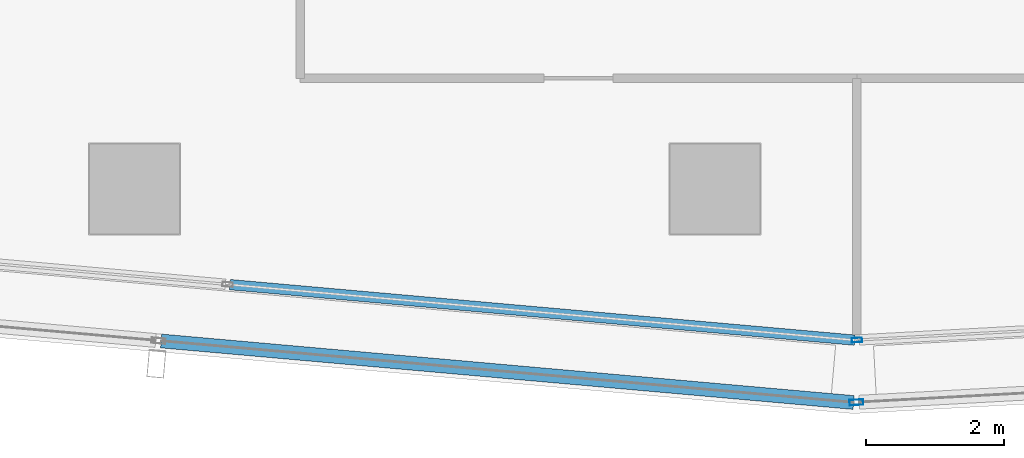
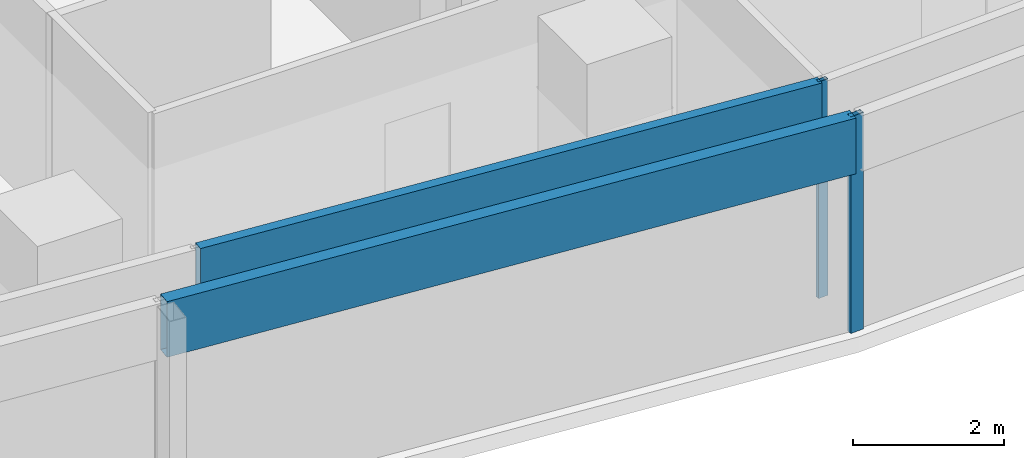
# One storey, part 4 of 28: 4 members, 4 elements without a shape of their own.
"""IFC4 building model written with IfcOpenShell, lengths in metres."""

from ifc_helpers import new_model, si_unit, direction, frame, origin, origin_2d, place, context, subcontext, project, spatial, hollow_rectangle, extrude, material, material_profile, profile_set, type_object, element, aggregate, save


model = new_model("IFC4")

# Units and contexts
model_context = context("Model", 3, precision=1e-05, world=origin(), true_north=direction((0.0, 1.0)))
body_context = subcontext(model_context, "Body", "Model", "MODEL_VIEW")
ifc_project = project(units=[si_unit("LENGTHUNIT", "METRE"), si_unit("AREAUNIT", "SQUARE_METRE"), si_unit("VOLUMEUNIT", "CUBIC_METRE"), si_unit("PLANEANGLEUNIT", "RADIAN"), si_unit("MASSUNIT", "GRAM", prefix="KILO")], contexts=[model_context])

# Site, building, storey
site_placement = place(None, origin())
site = spatial("IfcSite", under=ifc_project, at=site_placement, CompositionType="ELEMENT")
building_placement = place(site_placement, origin())
building = spatial("IfcBuilding", under=site, at=building_placement, Name="Rekha Terrace Tower", CompositionType="ELEMENT")
storey_placement = place(building_placement, frame((0.0, 0.0, 268.85009765625)))
storey = spatial("IfcBuildingStorey", under=building, at=storey_placement, Name="L68", CompositionType="ELEMENT", Elevation=268.85009765625)

# Curtain wall, member
ifc_material_1 = material(Name="Aluminium framing", Category="aluminium")
curtain_wall_type_1 = type_object("IfcCurtainWallType", Name="CW1 double skin inner glazing", PredefinedType="USERDEFINED", material=ifc_material_1)
curtain_wall_1_placement = place(storey_placement, origin())
curtain_wall_1 = element("IfcCurtainWall", 1, at=curtain_wall_1_placement, inside=storey, type_object=curtain_wall_type_1, Name="CW1 double skin inner glazing", ObjectType="DOUBLE SKIN INNER GLAZING", PredefinedType="USERDEFINED")
ifc_material_2 = material(Name="Aluminium mullion section", Category="aluminium")
ifc_material_profile_1 = material_profile(ifc_material_2, hollow_rectangle(XDim=0.06494140625, YDim=0.14990234375, WallThickness=0.00390625, at=origin_2d()), Name="AL RHS 65x150")
ifc_profile_set_1 = profile_set([ifc_material_profile_1], Name="Aluminium mullion section")
member_type_1 = type_object("IfcMemberType", Name="CW1 mullion RHS 65 x 150", PredefinedType="MULLION", material=ifc_profile_set_1)
member_1_placement = place(storey_placement, frame((27.254638671875, 14.6142578125, 0.0), z_axis=(0.0, 0.0, 1.0), x_axis=(-0.054388903036, 0.998519828159, 0.0)))
member_1 = element("IfcMember", 2, at=member_1_placement, type_object=member_type_1, Name="CW1 mullion 1", PredefinedType="MULLION", context=body_context, shape_type="SweptSolid", body=[
    extrude(hollow_rectangle(XDim=0.06494140625, YDim=0.14990234375, WallThickness=0.00390625, at=origin_2d()), origin(), (0.0, 0.0, 1.0), 3.5),
])
aggregate(curtain_wall_1, [member_1])

curtain_wall_2_placement = place(storey_placement, origin())
curtain_wall_2 = element("IfcCurtainWall", 3, at=curtain_wall_2_placement, inside=storey, type_object=curtain_wall_type_1, Name="CW1 double skin inner glazing", ObjectType="DOUBLE SKIN INNER GLAZING", PredefinedType="USERDEFINED")
ifc_material_3 = material(Name="Insulated aluminium spandrel box", Category="aluminium")
ifc_material_profile_2 = material_profile(ifc_material_3, hollow_rectangle(XDim=0.14990234375, YDim=0.89990234375, WallThickness=0.0029296875, at=origin_2d()), Name="AL SPANDREL BOX 150x900")
ifc_profile_set_2 = profile_set([ifc_material_profile_2], Name="Insulated aluminium spandrel box")
member_type_2 = type_object("IfcMemberType", Name="CW1 spandrel transom 150 x 900", PredefinedType="USERDEFINED", material=ifc_profile_set_2)
member_2_placement = place(storey_placement, frame((18.181884765625, 15.416015625, 3.0498046875), z_axis=(0.996073747712, -0.088527335432, 0.0), x_axis=(0.088527335432, 0.996073747712, 0.0)))
member_2 = element("IfcMember", 4, at=member_2_placement, type_object=member_type_2, Name="CW1 spandrel transom 2", ObjectType="TRANSOM", PredefinedType="USERDEFINED", context=body_context, shape_type="SweptSolid", body=[
    extrude(hollow_rectangle(XDim=0.14990234375, YDim=0.89990234375, WallThickness=0.0029296875, at=origin_2d()), origin(), (0.0, 0.0, 1.0), 9.075927734375),
])
aggregate(curtain_wall_2, [member_2])

curtain_wall_type_2 = type_object("IfcCurtainWallType", Name="CW2 double skin outer glazing", PredefinedType="USERDEFINED", material=ifc_material_1)
curtain_wall_3_placement = place(storey_placement, origin())
curtain_wall_3 = element("IfcCurtainWall", 5, at=curtain_wall_3_placement, inside=storey, type_object=curtain_wall_type_2, Name="CW2 double skin outer glazing", ObjectType="DOUBLE SKIN OUTER GLAZING", PredefinedType="USERDEFINED")
ifc_material_profile_3 = material_profile(ifc_material_2, hollow_rectangle(XDim=0.080078125, YDim=0.199951171875, WallThickness=0.00390625, at=origin_2d()), Name="AL RHS 80x200")
ifc_profile_set_3 = profile_set([ifc_material_profile_3], Name="Aluminium mullion section")
member_type_3 = type_object("IfcMemberType", Name="CW2 mullion RHS 80 x 200", PredefinedType="MULLION", material=ifc_profile_set_3)
member_3_placement = place(storey_placement, frame((27.24658203125, 13.712646484375, 0.0), z_axis=(0.0, 0.0, 1.0), x_axis=(-0.054388903071, 0.998519828157, 0.0)))
member_3 = element("IfcMember", 6, at=member_3_placement, type_object=member_type_3, Name="CW2 mullion 1", PredefinedType="MULLION", context=body_context, shape_type="SweptSolid", body=[
    extrude(hollow_rectangle(XDim=0.080078125, YDim=0.199951171875, WallThickness=0.00390625, at=origin_2d()), origin(), (0.0, 0.0, 1.0), 3.5),
])
aggregate(curtain_wall_3, [member_3])

curtain_wall_4_placement = place(storey_placement, origin())
curtain_wall_4 = element("IfcCurtainWall", 7, at=curtain_wall_4_placement, inside=storey, type_object=curtain_wall_type_2, Name="CW2 double skin outer glazing", ObjectType="DOUBLE SKIN OUTER GLAZING", PredefinedType="USERDEFINED")
ifc_material_profile_4 = material_profile(ifc_material_3, hollow_rectangle(XDim=0.199951171875, YDim=0.89990234375, WallThickness=0.0029296875, at=origin_2d()), Name="AL SPANDREL BOX 200x900")
ifc_profile_set_4 = profile_set([ifc_material_profile_4], Name="Insulated aluminium spandrel box")
member_type_4 = type_object("IfcMemberType", Name="CW2 spandrel transom 200 x 900", PredefinedType="USERDEFINED", material=ifc_profile_set_4)
member_4_placement = place(storey_placement, frame((17.188232421875, 14.600830078125, 3.0498046875), z_axis=(0.996074020135, -0.088524270188, 0.0), x_axis=(0.088524270188, 0.996074020135, 0.0)))
member_4 = element("IfcMember", 8, at=member_4_placement, type_object=member_type_4, Name="CW2 spandrel transom 2", ObjectType="TRANSOM", PredefinedType="USERDEFINED", context=body_context, shape_type="SweptSolid", body=[
    extrude(hollow_rectangle(XDim=0.199951171875, YDim=0.89990234375, WallThickness=0.0029296875, at=origin_2d()), origin(), (0.0, 0.0, 1.0), 10.05810546875),
])
aggregate(curtain_wall_4, [member_4])

save(model, "model.ifc")
